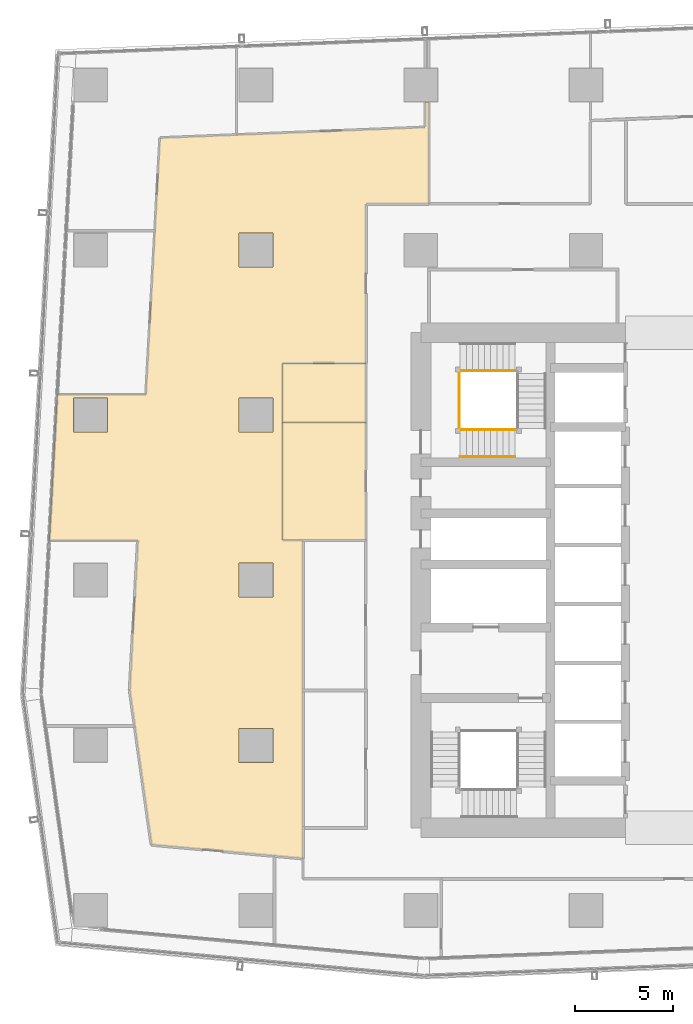
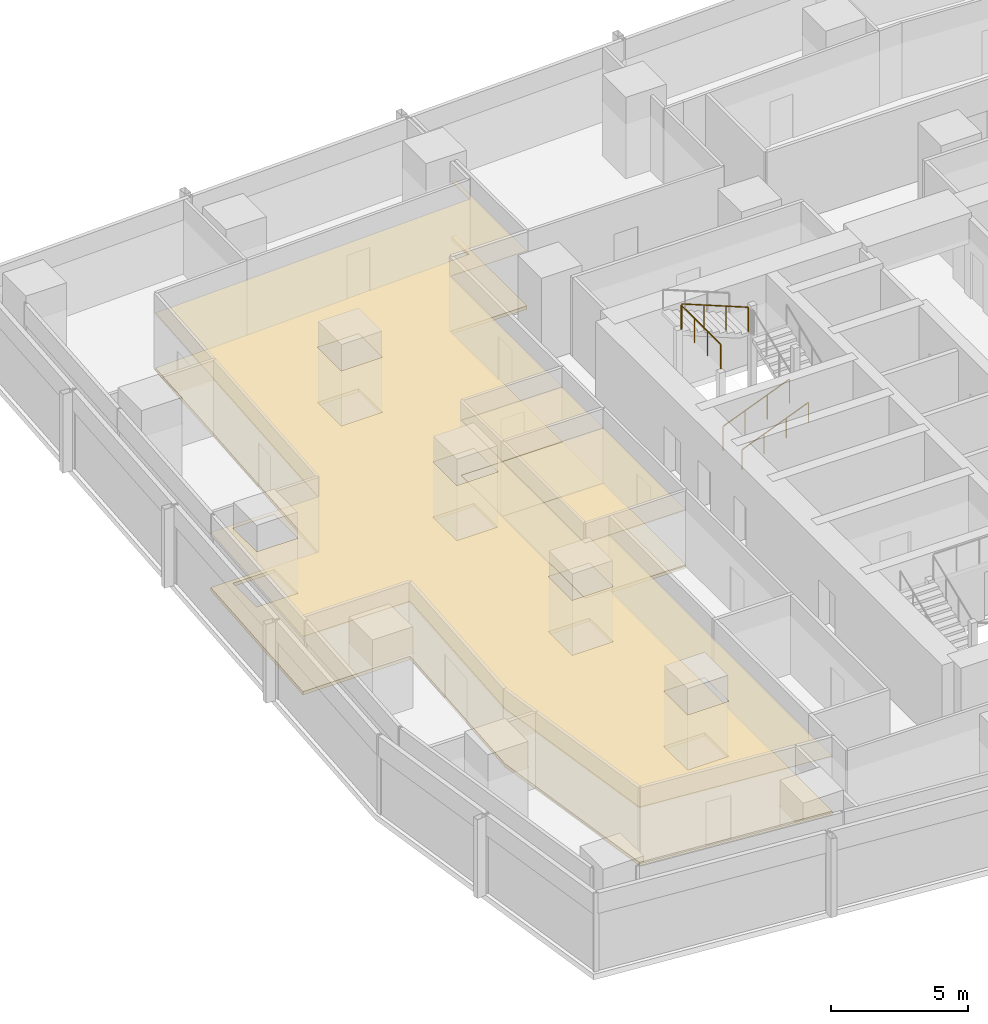
# One storey, part 35 of 40: 6 coverings, 4 railings.
"""IFC4 building model written with IfcOpenShell, lengths in metres."""

from ifc_helpers import new_model, si_unit, direction, frame, origin, origin_2d, place, context, subcontext, project, spatial, polyline, circle, outline, extrude, material, layer, layer_set, type_object, element, save


model = new_model("IFC4")

# Units and contexts
model_context = context("Model", 3, precision=1e-05, world=origin(), true_north=direction((0.0, 1.0)))
body_context = subcontext(model_context, "Body", "Model", "MODEL_VIEW")
ifc_project = project(units=[si_unit("LENGTHUNIT", "METRE"), si_unit("AREAUNIT", "SQUARE_METRE"), si_unit("VOLUMEUNIT", "CUBIC_METRE"), si_unit("PLANEANGLEUNIT", "RADIAN"), si_unit("MASSUNIT", "GRAM", prefix="KILO")], contexts=[model_context])

# Site, building, storey
site_placement = place(None, origin())
site = spatial("IfcSite", under=ifc_project, at=site_placement, CompositionType="ELEMENT")
building_placement = place(site_placement, origin())
building = spatial("IfcBuilding", under=site, at=building_placement, Name="Rekha Terrace Tower", CompositionType="ELEMENT")
storey_placement = place(building_placement, frame((0.0, 0.0, 110.300048828125)))
storey = spatial("IfcBuildingStorey", under=building, at=storey_placement, Name="L27", CompositionType="ELEMENT", Elevation=110.300048828125)

# Coverings
ifc_material_1 = material(Name="Mineral fibre tile in exposed grid", Category="finish")
ifc_layer_1 = layer(ifc_material_1, 0.02001953125)
ifc_layer_set_1 = layer_set([ifc_layer_1], Name="Mineral fibre tile in exposed grid")
covering_type_1 = type_object("IfcCoveringType", Name="CL1 600x1200 office grid ceiling", PredefinedType="CEILING", material=ifc_layer_set_1)
covering_1_placement = place(storey_placement, frame((0.0, 0.0, 2.579833984375)))
element("IfcCovering", 1, at=covering_1_placement, inside=storey, type_object=covering_type_1, Name="Ceiling L27-16", PredefinedType="CEILING", context=body_context, shape_type="SweptSolid", body=[
    extrude(outline(polyline([(22.39990234375, 41.636962890625), (18.14990234375, 41.636962890625), (18.14990234375, 35.637939453125), (22.39990234375, 35.637939453125), (22.39990234375, 41.636962890625)])), origin(), (0.0, 0.0, 1.0), 0.02001953125),
])
covering_2_placement = place(storey_placement, frame((0.0, 0.0, 2.579833984375)))
element("IfcCovering", 2, at=covering_2_placement, inside=storey, type_object=covering_type_1, Name="Ceiling L27-17", PredefinedType="CEILING", context=body_context, shape_type="SweptSolid", body=[
    extrude(outline(polyline([(22.39990234375, 44.636962890625), (18.14990234375, 44.636962890625), (18.14990234375, 41.636962890625), (22.39990234375, 41.636962890625), (22.39990234375, 44.636962890625)])), origin(), (0.0, 0.0, 1.0), 0.02001953125),
])
covering_3_placement = place(storey_placement, frame((0.0, 0.0, 2.579833984375)))
element("IfcCovering", 3, at=covering_3_placement, inside=storey, type_object=covering_type_1, Name="Ceiling L27-O2", PredefinedType="CEILING", context=body_context, shape_type="SweptSolid", body=[
    extrude(outline(polyline([(10.381103515625, 28.006103515625), (10.638916015625, 26.177001953125), (11.489990234375, 20.138916015625), (17.7529296875, 19.570068359375), (19.199951171875, 19.43896484375), (19.199951171875, 35.636962890625), (18.14990234375, 35.636962890625), (18.14990234375, 44.636962890625), (22.39990234375, 44.636962890625), (22.39990234375, 52.75), (25.60009765625, 52.75), (25.60009765625, 57.93505859375), (25.4130859375, 57.93505859375), (25.4130859375, 56.64990234375), (15.799072265625, 56.263916015625), (11.922119140625, 56.10888671875), (11.6630859375, 51.3779296875), (11.2060546875, 43.0458984375), (6.698974609375, 43.0458984375), (6.29296875, 35.634033203125), (10.800048828125, 35.634033203125), (10.381103515625, 28.006103515625)]), holes=[polyline([(17.6650390625, 26.06494140625), (17.6650390625, 24.3349609375), (15.93505859375, 24.3349609375), (15.93505859375, 26.06494140625), (17.6650390625, 26.06494140625)]), polyline([(17.6650390625, 34.465087890625), (17.6650390625, 32.735107421875), (15.93505859375, 32.735107421875), (15.93505859375, 34.465087890625), (17.6650390625, 34.465087890625)]), polyline([(17.6650390625, 41.135009765625), (15.93505859375, 41.135009765625), (15.93505859375, 42.864990234375), (17.6650390625, 42.864990234375), (17.6650390625, 41.135009765625)]), polyline([(17.6650390625, 49.534912109375), (15.93505859375, 49.534912109375), (15.93505859375, 51.264892578125), (17.6650390625, 51.264892578125), (17.6650390625, 49.534912109375)]), polyline([(9.264892578125, 41.135009765625), (7.534912109375, 41.135009765625), (7.534912109375, 42.864990234375), (9.264892578125, 42.864990234375), (9.264892578125, 41.135009765625)])]), origin(), (0.0, 0.0, 1.0), 0.02001953125),
])

# Railings
ifc_material_2 = material(Name="Stainless steel balustrade", Category="steel")
railing_type_1 = type_object("IfcRailingType", Name="GR1 1100 stair guard", PredefinedType="GUARDRAIL", material=ifc_material_2)
railing_1_placement = place(storey_placement, frame((27.199951171875, 41.264892578125, 0.125)))
element("IfcRailing", 4, at=railing_1_placement, inside=storey, type_object=railing_type_1, Name="Guard ST4 L27 flight 1", PredefinedType="GUARDRAIL", context=body_context, shape_type="SweptSolid", body=[
    extrude(circle(Radius=0.02392578125, at=origin_2d()), frame((0.0, 0.0, 1.076171875), z_axis=(0.927443287984, 0.0, 0.373963831907), x_axis=(0.0, 1.0, 0.0)), (0.0, 0.0, 1.0), 3.00830078125),
    extrude(circle(Radius=0.02099609375, at=origin_2d()), origin(), (0.0, 0.0, 1.0), 1.052001953125),
    extrude(circle(Radius=0.02099609375, at=origin_2d()), frame((0.929931640625, 0.0, 0.375)), (0.0, 0.0, 1.0), 1.052001953125),
    extrude(circle(Radius=0.02099609375, at=origin_2d()), frame((1.860107421875, 0.0, 0.75)), (0.0, 0.0, 1.0), 1.052001953125),
    extrude(circle(Radius=0.02099609375, at=origin_2d()), frame((2.7900390625, 0.0, 1.125)), (0.0, 0.0, 1.0), 1.052001953125),
])
railing_2_placement = place(storey_placement, frame((29.989990234375, 44.260009765625, 2.625)))
element("IfcRailing", 5, at=railing_2_placement, inside=storey, type_object=railing_type_1, Name="Guard ST4 L27 flight 3", PredefinedType="GUARDRAIL", context=body_context, shape_type="SweptSolid", body=[
    extrude(circle(Radius=0.02392578125, at=origin_2d()), frame((0.0, 0.0, 1.076171875), z_axis=(-0.927443287984, 0.0, 0.373963831907), x_axis=(0.0, -1.0, 0.0)), (0.0, 0.0, 1.0), 3.00830078125),
    extrude(circle(Radius=0.02099609375, at=origin_2d()), origin(), (0.0, 0.0, 1.0), 1.052001953125),
    extrude(circle(Radius=0.02099609375, at=origin_2d()), frame((-0.929931640625, 0.0, 0.375)), (0.0, 0.0, 1.0), 1.052001953125),
    extrude(circle(Radius=0.02099609375, at=origin_2d()), frame((-1.860107421875, 0.0, 0.75)), (0.0, 0.0, 1.0), 1.052001953125),
    extrude(circle(Radius=0.02099609375, at=origin_2d()), frame((-2.7900390625, 0.0, 1.125)), (0.0, 0.0, 1.0), 1.052001953125),
])
railing_3_placement = place(storey_placement, frame((27.139892578125, 41.324951171875, 3.75)))
element("IfcRailing", 6, at=railing_3_placement, inside=storey, type_object=railing_type_1, Name="Guard ST4 L27 landing 4", PredefinedType="GUARDRAIL", context=body_context, shape_type="SweptSolid", body=[
    extrude(circle(Radius=0.02392578125, at=origin_2d()), frame((0.0, 0.0, 1.076171875), z_axis=(0.0, 1.0, 0.0), x_axis=(-1.0, 0.0, 0.0)), (0.0, 0.0, 1.0), 2.875),
    extrude(circle(Radius=0.02099609375, at=origin_2d()), origin(), (0.0, 0.0, 1.0), 1.052001953125),
    extrude(circle(Radius=0.02099609375, at=origin_2d()), frame((0.0, 0.958251953125, 0.0)), (0.0, 0.0, 1.0), 1.052001953125),
    extrude(circle(Radius=0.02099609375, at=origin_2d()), frame((0.0, 1.916748046875, 0.0)), (0.0, 0.0, 1.0), 1.052001953125),
    extrude(circle(Radius=0.02099609375, at=origin_2d()), frame((0.0, 2.875, 0.0)), (0.0, 0.0, 1.0), 1.052001953125),
])
ifc_material_3 = material(Name="Stainless steel tube", Category="steel")
railing_type_2 = type_object("IfcRailingType", Name="HR1 900 stair handrail", PredefinedType="HANDRAIL", material=ifc_material_3)
railing_4_placement = place(storey_placement, frame((27.199951171875, 39.885009765625, 0.125)))
element("IfcRailing", 7, at=railing_4_placement, inside=storey, type_object=railing_type_2, Name="Handrail ST4 L27 flight 1", PredefinedType="HANDRAIL", context=body_context, shape_type="SweptSolid", body=[
    extrude(circle(Radius=0.02392578125, at=origin_2d()), frame((0.0, 0.0, 0.8759765625), z_axis=(0.927443287984, 0.0, 0.373963831907), x_axis=(0.0, 1.0, 0.0)), (0.0, 0.0, 1.0), 3.00830078125),
    extrude(circle(Radius=0.02099609375, at=origin_2d()), origin(), (0.0, 0.0, 1.0), 0.851806640625),
    extrude(circle(Radius=0.02099609375, at=origin_2d()), frame((0.929931640625, 0.0, 0.375)), (0.0, 0.0, 1.0), 0.851806640625),
    extrude(circle(Radius=0.02099609375, at=origin_2d()), frame((1.860107421875, 0.0, 0.75)), (0.0, 0.0, 1.0), 0.851806640625),
    extrude(circle(Radius=0.02099609375, at=origin_2d()), frame((2.7900390625, 0.0, 1.125)), (0.0, 0.0, 1.0), 0.851806640625),
])

# Coverings
ifc_material_4 = material(Name="Calcium sulphate panels on steel pedestals", Category="steel")
ifc_layer_2 = layer(ifc_material_4, 0.14990234375)
ifc_layer_set_2 = layer_set([ifc_layer_2], Name="Calcium sulphate panels on steel pedestals")
covering_type_2 = type_object("IfcCoveringType", Name="RF1 150 raised access floor", PredefinedType="FLOORING", material=ifc_layer_set_2)
covering_4_placement = place(storey_placement, origin())
element("IfcCovering", 8, at=covering_4_placement, inside=storey, type_object=covering_type_2, Name="Raised floor L27-16", PredefinedType="FLOORING", context=body_context, shape_type="SweptSolid", body=[
    extrude(outline(polyline([(22.39990234375, 41.636962890625), (18.14990234375, 41.636962890625), (18.14990234375, 35.637939453125), (22.39990234375, 35.637939453125), (22.39990234375, 41.636962890625)])), origin(), (0.0, 0.0, 1.0), 0.14990234375),
])
covering_5_placement = place(storey_placement, origin())
element("IfcCovering", 9, at=covering_5_placement, inside=storey, type_object=covering_type_2, Name="Raised floor L27-17", PredefinedType="FLOORING", context=body_context, shape_type="SweptSolid", body=[
    extrude(outline(polyline([(22.39990234375, 44.636962890625), (18.14990234375, 44.636962890625), (18.14990234375, 41.636962890625), (22.39990234375, 41.636962890625), (22.39990234375, 44.636962890625)])), origin(), (0.0, 0.0, 1.0), 0.14990234375),
])
covering_6_placement = place(storey_placement, origin())
element("IfcCovering", 10, at=covering_6_placement, inside=storey, type_object=covering_type_2, Name="Raised floor L27-O2", PredefinedType="FLOORING", context=body_context, shape_type="SweptSolid", body=[
    extrude(outline(polyline([(10.381103515625, 28.006103515625), (10.638916015625, 26.177001953125), (11.489990234375, 20.138916015625), (17.7529296875, 19.570068359375), (19.199951171875, 19.43896484375), (19.199951171875, 35.636962890625), (18.14990234375, 35.636962890625), (18.14990234375, 44.636962890625), (22.39990234375, 44.636962890625), (22.39990234375, 52.75), (25.60009765625, 52.75), (25.60009765625, 57.93505859375), (25.4130859375, 57.93505859375), (25.4130859375, 56.64990234375), (15.799072265625, 56.263916015625), (11.922119140625, 56.10888671875), (11.6630859375, 51.3779296875), (11.2060546875, 43.0458984375), (6.698974609375, 43.0458984375), (6.29296875, 35.634033203125), (10.800048828125, 35.634033203125), (10.381103515625, 28.006103515625)]), holes=[polyline([(17.6650390625, 26.06494140625), (17.6650390625, 24.3349609375), (15.93505859375, 24.3349609375), (15.93505859375, 26.06494140625), (17.6650390625, 26.06494140625)]), polyline([(17.6650390625, 34.465087890625), (17.6650390625, 32.735107421875), (15.93505859375, 32.735107421875), (15.93505859375, 34.465087890625), (17.6650390625, 34.465087890625)]), polyline([(17.6650390625, 41.135009765625), (15.93505859375, 41.135009765625), (15.93505859375, 42.864990234375), (17.6650390625, 42.864990234375), (17.6650390625, 41.135009765625)]), polyline([(17.6650390625, 49.534912109375), (15.93505859375, 49.534912109375), (15.93505859375, 51.264892578125), (17.6650390625, 51.264892578125), (17.6650390625, 49.534912109375)]), polyline([(9.264892578125, 41.135009765625), (7.534912109375, 41.135009765625), (7.534912109375, 42.864990234375), (9.264892578125, 42.864990234375), (9.264892578125, 41.135009765625)])]), origin(), (0.0, 0.0, 1.0), 0.14990234375),
])

save(model, "model.ifc")
